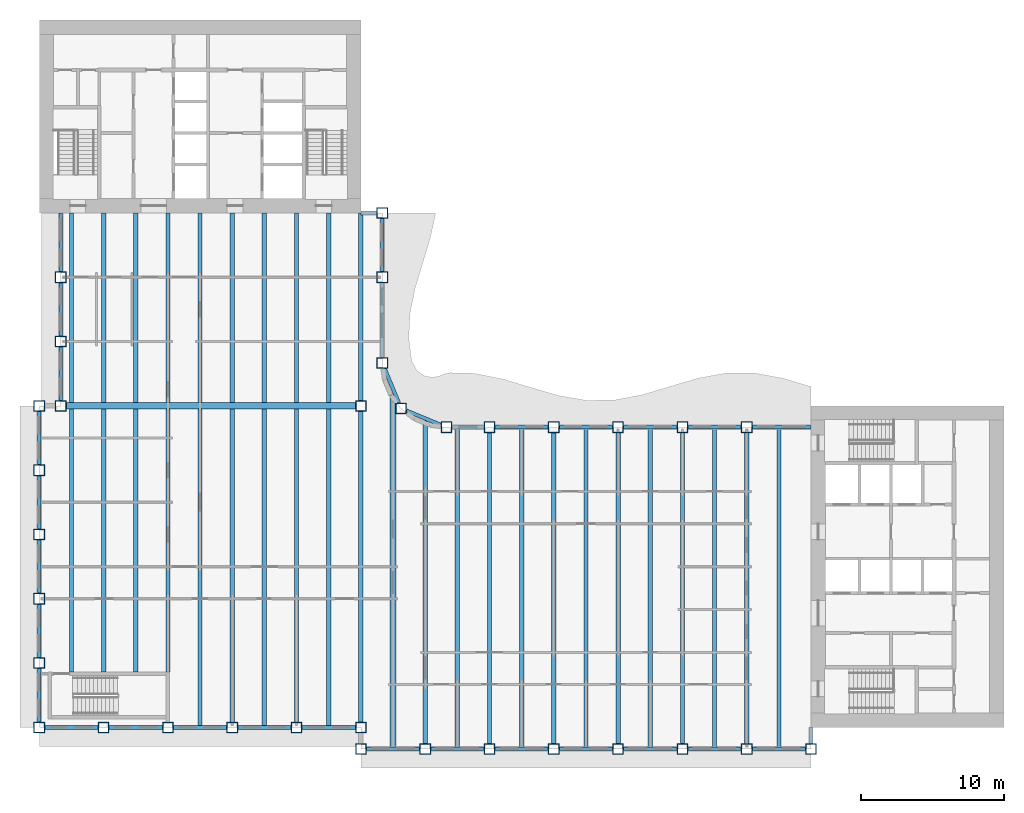
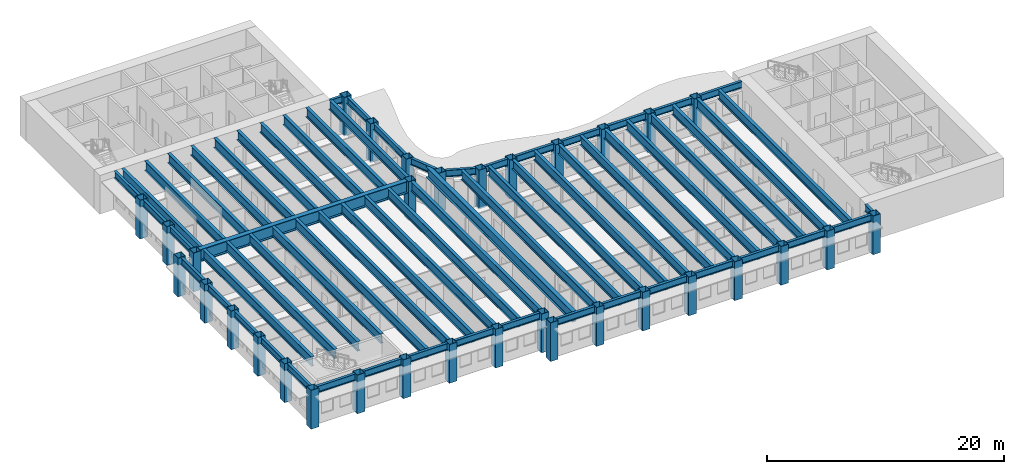
# One storey, part 1 of 17: 66 beams, 33 columns.
"""IFC4 building model written with IfcOpenShell, lengths in metres."""

from ifc_helpers import new_model, si_unit, direction, frame, origin, origin_2d, place, context, subcontext, project, spatial, hollow_rectangle, i_section, extrude, material, material_profile, profile_set, type_object, element, save


model = new_model("IFC4")

# Units and contexts
model_context = context("Model", 3, precision=1e-05, world=origin(), true_north=direction((0.0, 1.0)))
body_context = subcontext(model_context, "Body", "Model", "MODEL_VIEW")
ifc_project = project(units=[si_unit("LENGTHUNIT", "METRE"), si_unit("AREAUNIT", "SQUARE_METRE"), si_unit("VOLUMEUNIT", "CUBIC_METRE"), si_unit("PLANEANGLEUNIT", "RADIAN"), si_unit("MASSUNIT", "GRAM", prefix="KILO")], contexts=[model_context])

# Site, building, storey
site_placement = place(None, origin())
site = spatial("IfcSite", under=ifc_project, at=site_placement, CompositionType="ELEMENT")
building_placement = place(site_placement, origin())
building = spatial("IfcBuilding", under=site, at=building_placement, Name="Sennacour Bend Tower", CompositionType="ELEMENT")
storey_placement = place(building_placement, frame((0.0, 0.0, 199.0)))
storey = spatial("IfcBuildingStorey", under=building, at=storey_placement, Name="L45", CompositionType="ELEMENT", Elevation=199.0)

# Columns
ifc_material_1 = material(Name="Steel ASTM A572 Grade 50", Category="steel")
ifc_material_profile_1 = material_profile(ifc_material_1, hollow_rectangle(XDim=0.75, YDim=0.75, WallThickness=0.035888671875, at=origin_2d()), Name="Steel ASTM A572 Grade 50", Category="steel")
ifc_profile_set_1 = profile_set([ifc_material_profile_1], Name="Steel ASTM A572 Grade 50")
column_type = type_object("IfcColumnType", Name="Box column 750", PredefinedType="COLUMN", material=ifc_profile_set_1)
for number, where, z_axis, x_axis, name in (
    (1, (0.0, 0.0, -0.14990234375), (0.0, 0.0, 1.0), (1.0, 0.0, 0.0), "Perimeter column C4 L45-001"),
    (2, (0.0, 4.5, -0.14990234375), (0.0, 0.0, 1.0), (1.0, 0.0, 0.0), "Perimeter column C4 L45-002"),
    (3, (0.0, 9.0, -0.14990234375), (0.0, 0.0, 1.0), (1.0, 0.0, 0.0), "Perimeter column C4 L45-003"),
    (4, (0.0, 13.5, -0.14990234375), (0.0, 0.0, 1.0), (1.0, 0.0, 0.0), "Perimeter column C4 L45-004"),
    (5, (0.0, 18.0, -0.14990234375), (0.0, 0.0, 1.0), (1.0, 0.0, 0.0), "Perimeter column C4 L45-005"),
    (6, (0.0, 22.5, -0.14990234375), (0.0, 0.0, 1.0), (1.0, 0.0, 0.0), "Perimeter column C4 L45-006"),
    (7, (1.5, 22.5, -0.14990234375), (0.0, 0.0, 1.0), (1.0, 0.0, 0.0), "Perimeter column C4 L45-007"),
    (8, (1.5, 27.0, -0.14990234375), (0.0, 0.0, 1.0), (1.0, 0.0, 0.0), "Perimeter column C4 L45-008"),
    (9, (1.5, 31.5, -0.14990234375), (0.0, 0.0, 1.0), (1.0, 0.0, 0.0), "Perimeter column C4 L45-009"),
    (10, (4.5, 0.0, -0.14990234375), (0.0, 0.0, 1.0), (1.0, 0.0, 0.0), "Perimeter column C4 L45-010"),
    (11, (9.0, 0.0, -0.14990234375), (0.0, 0.0, 1.0), (1.0, 0.0, 0.0), "Perimeter column C4 L45-011"),
    (12, (13.5, 0.0, -0.14990234375), (0.0, 0.0, 1.0), (1.0, 0.0, 0.0), "Perimeter column C4 L45-012"),
    (13, (18.0, 0.0, -0.14990234375), (0.0, 0.0, 1.0), (1.0, 0.0, 0.0), "Perimeter column C4 L45-013"),
    (14, (22.5, -1.5, -0.14990234375), (0.0, 0.0, 1.0), (1.0, 0.0, 0.0), "Perimeter column C4 L45-014"),
    (15, (22.5, 0.0, -0.14990234375), (0.0, 0.0, 1.0), (1.0, 0.0, 0.0), "Perimeter column C4 L45-015"),
    (16, (22.5, 22.5, -0.14990234375), (0.0, 0.0, 1.0), (1.0, 0.0, 0.0), "Knuckle column C4 L45-016"),
    (17, (24.0, 25.5, -0.14990234375), (0.0, 0.0, 1.0), (1.0, 0.0, 0.0), "Perimeter column C4 L45-017"),
    (18, (24.0, 31.5, -0.14990234375), (0.0, 0.0, 1.0), (1.0, 0.0, 0.0), "Perimeter column C4 L45-018"),
    (19, (24.0, 36.0, -0.14990234375), (0.0, 0.0, 1.0), (1.0, 0.0, 0.0), "Perimeter column C4 L45-019"),
    (20, (25.318115234375, 22.318115234375, -0.14990234375), (0.0, 0.0, 1.0), (1.0, 0.0, 0.0), "Perimeter column C4 L45-020"),
    (21, (27.0, -1.5, -0.14990234375), (0.0, 0.0, 1.0), (1.0, 0.0, 0.0), "Perimeter column C4 L45-021"),
    (22, (28.5, 21.0, -0.14990234375), (0.0, 0.0, 1.0), (1.0, 0.0, 0.0), "Perimeter column C4 L45-022"),
    (23, (31.5, -1.5, -0.14990234375), (0.0, 0.0, 1.0), (1.0, 0.0, 0.0), "Perimeter column C4 L45-023"),
    (24, (31.5, 21.0, -0.14990234375), (0.0, 0.0, 1.0), (1.0, 0.0, 0.0), "Perimeter column C4 L45-024"),
    (25, (36.0, -1.5, -0.14990234375), (0.0, 0.0, 1.0), (1.0, 0.0, 0.0), "Perimeter column C4 L45-025"),
    (26, (36.0, 21.0, -0.14990234375), (0.0, 0.0, 1.0), (1.0, 0.0, 0.0), "Perimeter column C4 L45-026"),
    (27, (40.5, -1.5, -0.14990234375), (0.0, 0.0, 1.0), (1.0, 0.0, 0.0), "Perimeter column C4 L45-027"),
    (28, (40.5, 21.0, -0.14990234375), (0.0, 0.0, 1.0), (1.0, 0.0, 0.0), "Perimeter column C4 L45-028"),
    (29, (45.0, -1.5, -0.14990234375), (0.0, 0.0, 1.0), (1.0, 0.0, 0.0), "Perimeter column C4 L45-029"),
    (30, (45.0, 21.0, -0.14990234375), (0.0, 0.0, 1.0), (1.0, 0.0, 0.0), "Perimeter column C4 L45-030"),
    (31, (49.5, -1.5, -0.14990234375), (0.0, 0.0, 1.0), (1.0, 0.0, 0.0), "Perimeter column C4 L45-031"),
    (32, (49.5, 21.0, -0.14990234375), (0.0, 0.0, 1.0), (1.0, 0.0, 0.0), "Perimeter column C4 L45-032"),
    (33, (54.0, -1.5, -0.14990234375), (0.0, 0.0, 1.0), (1.0, 0.0, 0.0), "Perimeter column C4 L45-033"),
):
    element("IfcColumn", number, at=place(storey_placement, frame(where, z_axis=z_axis, x_axis=x_axis)), inside=storey, type_object=column_type, Name=name, PredefinedType="COLUMN", context=body_context, shape_type="SweptSolid", body=[
        extrude(hollow_rectangle(XDim=0.75, YDim=0.75, WallThickness=0.035888671875, at=origin_2d()), origin(), (0.0, 0.0, 1.0), 4.0),
    ])

# Beams
ifc_material_2 = material(Name="Steel ASTM A992 Grade 50", Category="steel")
ifc_material_profile_2 = material_profile(ifc_material_2, i_section(OverallWidth=0.300048828125, OverallDepth=0.97998046875, WebThickness=0.0166015625, FlangeThickness=0.026123046875, FilletRadius=0.02978515625, at=origin_2d()), Name="Steel ASTM A992 Grade 50", Category="steel")
ifc_profile_set_2 = profile_set([ifc_material_profile_2], Name="Steel ASTM A992 Grade 50")
beam_type_1 = type_object("IfcBeamType", Name="Floor beam W1000X249", PredefinedType="BEAM", material=ifc_profile_set_2)
beam_1_placement = place(storey_placement, frame((2.25, 3.875, 3.360107421875), z_axis=(0.0, 1.0, 0.0), x_axis=(-1.0, 0.0, 0.0)))
element("IfcBeam", 34, at=beam_1_placement, inside=storey, type_object=beam_type_1, Name="Floor beam FBM2 L46-001", PredefinedType="BEAM", context=body_context, shape_type="SweptSolid", body=[
    extrude(i_section(OverallWidth=0.300048828125, OverallDepth=0.97998046875, WebThickness=0.0166015625, FlangeThickness=0.026123046875, FilletRadius=0.02978515625, at=origin_2d()), origin(), (0.0, 0.0, 1.0), 18.39990234375),
])
beam_2_placement = place(storey_placement, frame((2.25, 22.72509765625, 3.360107421875), z_axis=(0.0, 1.0, 0.0), x_axis=(-1.0, 0.0, 0.0)))
element("IfcBeam", 35, at=beam_2_placement, inside=storey, type_object=beam_type_1, Name="Floor beam FBM2 L46-002", PredefinedType="BEAM", context=body_context, shape_type="SweptSolid", body=[
    extrude(i_section(OverallWidth=0.300048828125, OverallDepth=0.97998046875, WebThickness=0.0166015625, FlangeThickness=0.026123046875, FilletRadius=0.02978515625, at=origin_2d()), origin(), (0.0, 0.0, 1.0), 13.27490234375),
])
beam_3_placement = place(storey_placement, frame((4.5, 3.875, 3.360107421875), z_axis=(0.0, 1.0, 0.0), x_axis=(-1.0, 0.0, 0.0)))
element("IfcBeam", 36, at=beam_3_placement, inside=storey, type_object=beam_type_1, Name="Floor beam FBM2 L46-003", PredefinedType="BEAM", context=body_context, shape_type="SweptSolid", body=[
    extrude(i_section(OverallWidth=0.300048828125, OverallDepth=0.97998046875, WebThickness=0.0166015625, FlangeThickness=0.026123046875, FilletRadius=0.02978515625, at=origin_2d()), origin(), (0.0, 0.0, 1.0), 18.39990234375),
])
beam_4_placement = place(storey_placement, frame((4.5, 22.72509765625, 3.360107421875), z_axis=(0.0, 1.0, 0.0), x_axis=(-1.0, 0.0, 0.0)))
element("IfcBeam", 37, at=beam_4_placement, inside=storey, type_object=beam_type_1, Name="Floor beam FBM2 L46-004", PredefinedType="BEAM", context=body_context, shape_type="SweptSolid", body=[
    extrude(i_section(OverallWidth=0.300048828125, OverallDepth=0.97998046875, WebThickness=0.0166015625, FlangeThickness=0.026123046875, FilletRadius=0.02978515625, at=origin_2d()), origin(), (0.0, 0.0, 1.0), 13.27490234375),
])
beam_5_placement = place(storey_placement, frame((6.75, 3.875, 3.360107421875), z_axis=(0.0, 1.0, 0.0), x_axis=(-1.0, 0.0, 0.0)))
element("IfcBeam", 38, at=beam_5_placement, inside=storey, type_object=beam_type_1, Name="Floor beam FBM2 L46-005", PredefinedType="BEAM", context=body_context, shape_type="SweptSolid", body=[
    extrude(i_section(OverallWidth=0.300048828125, OverallDepth=0.97998046875, WebThickness=0.0166015625, FlangeThickness=0.026123046875, FilletRadius=0.02978515625, at=origin_2d()), origin(), (0.0, 0.0, 1.0), 18.39990234375),
])
beam_6_placement = place(storey_placement, frame((6.75, 22.72509765625, 3.360107421875), z_axis=(0.0, 1.0, 0.0), x_axis=(-1.0, 0.0, 0.0)))
element("IfcBeam", 39, at=beam_6_placement, inside=storey, type_object=beam_type_1, Name="Floor beam FBM2 L46-006", PredefinedType="BEAM", context=body_context, shape_type="SweptSolid", body=[
    extrude(i_section(OverallWidth=0.300048828125, OverallDepth=0.97998046875, WebThickness=0.0166015625, FlangeThickness=0.026123046875, FilletRadius=0.02978515625, at=origin_2d()), origin(), (0.0, 0.0, 1.0), 13.27490234375),
])
beam_7_placement = place(storey_placement, frame((9.0, 3.875, 3.360107421875), z_axis=(0.0, 1.0, 0.0), x_axis=(-1.0, 0.0, 0.0)))
element("IfcBeam", 40, at=beam_7_placement, inside=storey, type_object=beam_type_1, Name="Floor beam FBM2 L46-007", PredefinedType="BEAM", context=body_context, shape_type="SweptSolid", body=[
    extrude(i_section(OverallWidth=0.300048828125, OverallDepth=0.97998046875, WebThickness=0.0166015625, FlangeThickness=0.026123046875, FilletRadius=0.02978515625, at=origin_2d()), origin(), (0.0, 0.0, 1.0), 18.39990234375),
])
beam_8_placement = place(storey_placement, frame((9.0, 22.72509765625, 3.360107421875), z_axis=(0.0, 1.0, 0.0), x_axis=(-1.0, 0.0, 0.0)))
element("IfcBeam", 41, at=beam_8_placement, inside=storey, type_object=beam_type_1, Name="Floor beam FBM2 L46-008", PredefinedType="BEAM", context=body_context, shape_type="SweptSolid", body=[
    extrude(i_section(OverallWidth=0.300048828125, OverallDepth=0.97998046875, WebThickness=0.0166015625, FlangeThickness=0.026123046875, FilletRadius=0.02978515625, at=origin_2d()), origin(), (0.0, 0.0, 1.0), 13.27490234375),
])
beam_9_placement = place(storey_placement, frame((11.25, 0.12841796875, 3.360107421875), z_axis=(0.0, 1.0, 0.0), x_axis=(-1.0, 0.0, 0.0)))
element("IfcBeam", 42, at=beam_9_placement, inside=storey, type_object=beam_type_1, Name="Floor beam FBM2 L46-009", PredefinedType="BEAM", context=body_context, shape_type="SweptSolid", body=[
    extrude(i_section(OverallWidth=0.300048828125, OverallDepth=0.97998046875, WebThickness=0.0166015625, FlangeThickness=0.026123046875, FilletRadius=0.02978515625, at=origin_2d()), origin(), (0.0, 0.0, 1.0), 22.146484375),
])
beam_10_placement = place(storey_placement, frame((11.25, 22.72509765625, 3.360107421875), z_axis=(0.0, 1.0, 0.0), x_axis=(-1.0, 0.0, 0.0)))
element("IfcBeam", 43, at=beam_10_placement, inside=storey, type_object=beam_type_1, Name="Floor beam FBM2 L46-010", PredefinedType="BEAM", context=body_context, shape_type="SweptSolid", body=[
    extrude(i_section(OverallWidth=0.300048828125, OverallDepth=0.97998046875, WebThickness=0.0166015625, FlangeThickness=0.026123046875, FilletRadius=0.02978515625, at=origin_2d()), origin(), (0.0, 0.0, 1.0), 13.27490234375),
])
beam_11_placement = place(storey_placement, frame((13.5, 0.375, 3.360107421875), z_axis=(0.0, 1.0, 0.0), x_axis=(-1.0, 0.0, 0.0)))
element("IfcBeam", 44, at=beam_11_placement, inside=storey, type_object=beam_type_1, Name="Floor beam FBM2 L46-011", PredefinedType="BEAM", context=body_context, shape_type="SweptSolid", body=[
    extrude(i_section(OverallWidth=0.300048828125, OverallDepth=0.97998046875, WebThickness=0.0166015625, FlangeThickness=0.026123046875, FilletRadius=0.02978515625, at=origin_2d()), origin(), (0.0, 0.0, 1.0), 21.89990234375),
])
beam_12_placement = place(storey_placement, frame((13.5, 22.72509765625, 3.360107421875), z_axis=(0.0, 1.0, 0.0), x_axis=(-1.0, 0.0, 0.0)))
element("IfcBeam", 45, at=beam_12_placement, inside=storey, type_object=beam_type_1, Name="Floor beam FBM2 L46-012", PredefinedType="BEAM", context=body_context, shape_type="SweptSolid", body=[
    extrude(i_section(OverallWidth=0.300048828125, OverallDepth=0.97998046875, WebThickness=0.0166015625, FlangeThickness=0.026123046875, FilletRadius=0.02978515625, at=origin_2d()), origin(), (0.0, 0.0, 1.0), 13.27490234375),
])
beam_13_placement = place(storey_placement, frame((15.75, 0.12841796875, 3.360107421875), z_axis=(0.0, 1.0, 0.0), x_axis=(-1.0, 0.0, 0.0)))
element("IfcBeam", 46, at=beam_13_placement, inside=storey, type_object=beam_type_1, Name="Floor beam FBM2 L46-013", PredefinedType="BEAM", context=body_context, shape_type="SweptSolid", body=[
    extrude(i_section(OverallWidth=0.300048828125, OverallDepth=0.97998046875, WebThickness=0.0166015625, FlangeThickness=0.026123046875, FilletRadius=0.02978515625, at=origin_2d()), origin(), (0.0, 0.0, 1.0), 22.146484375),
])
beam_14_placement = place(storey_placement, frame((15.75, 22.72509765625, 3.360107421875), z_axis=(0.0, 1.0, 0.0), x_axis=(-1.0, 0.0, 0.0)))
element("IfcBeam", 47, at=beam_14_placement, inside=storey, type_object=beam_type_1, Name="Floor beam FBM2 L46-014", PredefinedType="BEAM", context=body_context, shape_type="SweptSolid", body=[
    extrude(i_section(OverallWidth=0.300048828125, OverallDepth=0.97998046875, WebThickness=0.0166015625, FlangeThickness=0.026123046875, FilletRadius=0.02978515625, at=origin_2d()), origin(), (0.0, 0.0, 1.0), 13.27490234375),
])
beam_15_placement = place(storey_placement, frame((18.0, 0.375, 3.360107421875), z_axis=(0.0, 1.0, 0.0), x_axis=(-1.0, 0.0, 0.0)))
element("IfcBeam", 48, at=beam_15_placement, inside=storey, type_object=beam_type_1, Name="Floor beam FBM2 L46-015", PredefinedType="BEAM", context=body_context, shape_type="SweptSolid", body=[
    extrude(i_section(OverallWidth=0.300048828125, OverallDepth=0.97998046875, WebThickness=0.0166015625, FlangeThickness=0.026123046875, FilletRadius=0.02978515625, at=origin_2d()), origin(), (0.0, 0.0, 1.0), 21.89990234375),
])
beam_16_placement = place(storey_placement, frame((18.0, 22.72509765625, 3.360107421875), z_axis=(0.0, 1.0, 0.0), x_axis=(-1.0, 0.0, 0.0)))
element("IfcBeam", 49, at=beam_16_placement, inside=storey, type_object=beam_type_1, Name="Floor beam FBM2 L46-016", PredefinedType="BEAM", context=body_context, shape_type="SweptSolid", body=[
    extrude(i_section(OverallWidth=0.300048828125, OverallDepth=0.97998046875, WebThickness=0.0166015625, FlangeThickness=0.026123046875, FilletRadius=0.02978515625, at=origin_2d()), origin(), (0.0, 0.0, 1.0), 13.27490234375),
])
beam_17_placement = place(storey_placement, frame((20.25, 0.12841796875, 3.360107421875), z_axis=(0.0, 1.0, 0.0), x_axis=(-1.0, 0.0, 0.0)))
element("IfcBeam", 50, at=beam_17_placement, inside=storey, type_object=beam_type_1, Name="Floor beam FBM2 L46-017", PredefinedType="BEAM", context=body_context, shape_type="SweptSolid", body=[
    extrude(i_section(OverallWidth=0.300048828125, OverallDepth=0.97998046875, WebThickness=0.0166015625, FlangeThickness=0.026123046875, FilletRadius=0.02978515625, at=origin_2d()), origin(), (0.0, 0.0, 1.0), 22.146484375),
])
beam_18_placement = place(storey_placement, frame((20.25, 22.72509765625, 3.360107421875), z_axis=(0.0, 1.0, 0.0), x_axis=(-1.0, 0.0, 0.0)))
element("IfcBeam", 51, at=beam_18_placement, inside=storey, type_object=beam_type_1, Name="Floor beam FBM2 L46-018", PredefinedType="BEAM", context=body_context, shape_type="SweptSolid", body=[
    extrude(i_section(OverallWidth=0.300048828125, OverallDepth=0.97998046875, WebThickness=0.0166015625, FlangeThickness=0.026123046875, FilletRadius=0.02978515625, at=origin_2d()), origin(), (0.0, 0.0, 1.0), 13.27490234375),
])
beam_19_placement = place(storey_placement, frame((22.5, 0.375, 3.360107421875), z_axis=(0.0, 1.0, 0.0), x_axis=(-1.0, 0.0, 0.0)))
element("IfcBeam", 52, at=beam_19_placement, inside=storey, type_object=beam_type_1, Name="Floor beam FBM2 L46-019", PredefinedType="BEAM", context=body_context, shape_type="SweptSolid", body=[
    extrude(i_section(OverallWidth=0.300048828125, OverallDepth=0.97998046875, WebThickness=0.0166015625, FlangeThickness=0.026123046875, FilletRadius=0.02978515625, at=origin_2d()), origin(), (0.0, 0.0, 1.0), 21.75),
])
beam_20_placement = place(storey_placement, frame((22.5, 22.875, 3.360107421875), z_axis=(0.0, 1.0, 0.0), x_axis=(-1.0, 0.0, 0.0)))
element("IfcBeam", 53, at=beam_20_placement, inside=storey, type_object=beam_type_1, Name="Floor beam FBM2 L46-020", PredefinedType="BEAM", context=body_context, shape_type="SweptSolid", body=[
    extrude(i_section(OverallWidth=0.300048828125, OverallDepth=0.97998046875, WebThickness=0.0166015625, FlangeThickness=0.026123046875, FilletRadius=0.02978515625, at=origin_2d()), origin(), (0.0, 0.0, 1.0), 13.125),
])
beam_21_placement = place(storey_placement, frame((27.0, -1.125, 3.360107421875), z_axis=(0.0, 1.0, 0.0), x_axis=(-1.0, 0.0, 0.0)))
element("IfcBeam", 54, at=beam_21_placement, inside=storey, type_object=beam_type_1, Name="Floor beam FBM2 L46-022", PredefinedType="BEAM", context=body_context, shape_type="SweptSolid", body=[
    extrude(i_section(OverallWidth=0.300048828125, OverallDepth=0.97998046875, WebThickness=0.0166015625, FlangeThickness=0.026123046875, FilletRadius=0.02978515625, at=origin_2d()), origin(), (0.0, 0.0, 1.0), 22.607177734375),
])
beam_22_placement = place(storey_placement, frame((29.25, -1.37158203125, 3.360107421875), z_axis=(0.0, 1.0, 0.0), x_axis=(-1.0, 0.0, 0.0)))
element("IfcBeam", 55, at=beam_22_placement, inside=storey, type_object=beam_type_1, Name="Floor beam FBM2 L46-023", PredefinedType="BEAM", context=body_context, shape_type="SweptSolid", body=[
    extrude(i_section(OverallWidth=0.300048828125, OverallDepth=0.97998046875, WebThickness=0.0166015625, FlangeThickness=0.026123046875, FilletRadius=0.02978515625, at=origin_2d()), origin(), (0.0, 0.0, 1.0), 22.2431640625),
])
beam_23_placement = place(storey_placement, frame((31.5, -1.125, 3.360107421875), z_axis=(0.0, 1.0, 0.0), x_axis=(-1.0, 0.0, 0.0)))
element("IfcBeam", 56, at=beam_23_placement, inside=storey, type_object=beam_type_1, Name="Floor beam FBM2 L46-024", PredefinedType="BEAM", context=body_context, shape_type="SweptSolid", body=[
    extrude(i_section(OverallWidth=0.300048828125, OverallDepth=0.97998046875, WebThickness=0.0166015625, FlangeThickness=0.026123046875, FilletRadius=0.02978515625, at=origin_2d()), origin(), (0.0, 0.0, 1.0), 21.75),
])
beam_24_placement = place(storey_placement, frame((33.75, -1.37158203125, 3.360107421875), z_axis=(0.0, 1.0, 0.0), x_axis=(-1.0, 0.0, 0.0)))
element("IfcBeam", 57, at=beam_24_placement, inside=storey, type_object=beam_type_1, Name="Floor beam FBM2 L46-025", PredefinedType="BEAM", context=body_context, shape_type="SweptSolid", body=[
    extrude(i_section(OverallWidth=0.300048828125, OverallDepth=0.97998046875, WebThickness=0.0166015625, FlangeThickness=0.026123046875, FilletRadius=0.02978515625, at=origin_2d()), origin(), (0.0, 0.0, 1.0), 22.2431640625),
])
beam_25_placement = place(storey_placement, frame((36.0, -1.125, 3.360107421875), z_axis=(0.0, 1.0, 0.0), x_axis=(-1.0, 0.0, 0.0)))
element("IfcBeam", 58, at=beam_25_placement, inside=storey, type_object=beam_type_1, Name="Floor beam FBM2 L46-026", PredefinedType="BEAM", context=body_context, shape_type="SweptSolid", body=[
    extrude(i_section(OverallWidth=0.300048828125, OverallDepth=0.97998046875, WebThickness=0.0166015625, FlangeThickness=0.026123046875, FilletRadius=0.02978515625, at=origin_2d()), origin(), (0.0, 0.0, 1.0), 21.75),
])
beam_26_placement = place(storey_placement, frame((38.25, -1.37158203125, 3.360107421875), z_axis=(0.0, 1.0, 0.0), x_axis=(-1.0, 0.0, 0.0)))
element("IfcBeam", 59, at=beam_26_placement, inside=storey, type_object=beam_type_1, Name="Floor beam FBM2 L46-027", PredefinedType="BEAM", context=body_context, shape_type="SweptSolid", body=[
    extrude(i_section(OverallWidth=0.300048828125, OverallDepth=0.97998046875, WebThickness=0.0166015625, FlangeThickness=0.026123046875, FilletRadius=0.02978515625, at=origin_2d()), origin(), (0.0, 0.0, 1.0), 22.2431640625),
])
beam_27_placement = place(storey_placement, frame((40.5, -1.125, 3.360107421875), z_axis=(0.0, 1.0, 0.0), x_axis=(-1.0, 0.0, 0.0)))
element("IfcBeam", 60, at=beam_27_placement, inside=storey, type_object=beam_type_1, Name="Floor beam FBM2 L46-028", PredefinedType="BEAM", context=body_context, shape_type="SweptSolid", body=[
    extrude(i_section(OverallWidth=0.300048828125, OverallDepth=0.97998046875, WebThickness=0.0166015625, FlangeThickness=0.026123046875, FilletRadius=0.02978515625, at=origin_2d()), origin(), (0.0, 0.0, 1.0), 21.75),
])
beam_28_placement = place(storey_placement, frame((42.75, -1.37158203125, 3.360107421875), z_axis=(0.0, 1.0, 0.0), x_axis=(-1.0, 0.0, 0.0)))
element("IfcBeam", 61, at=beam_28_placement, inside=storey, type_object=beam_type_1, Name="Floor beam FBM2 L46-029", PredefinedType="BEAM", context=body_context, shape_type="SweptSolid", body=[
    extrude(i_section(OverallWidth=0.300048828125, OverallDepth=0.97998046875, WebThickness=0.0166015625, FlangeThickness=0.026123046875, FilletRadius=0.02978515625, at=origin_2d()), origin(), (0.0, 0.0, 1.0), 22.2431640625),
])
beam_29_placement = place(storey_placement, frame((45.0, -1.125, 3.360107421875), z_axis=(0.0, 1.0, 0.0), x_axis=(-1.0, 0.0, 0.0)))
element("IfcBeam", 62, at=beam_29_placement, inside=storey, type_object=beam_type_1, Name="Floor beam FBM2 L46-030", PredefinedType="BEAM", context=body_context, shape_type="SweptSolid", body=[
    extrude(i_section(OverallWidth=0.300048828125, OverallDepth=0.97998046875, WebThickness=0.0166015625, FlangeThickness=0.026123046875, FilletRadius=0.02978515625, at=origin_2d()), origin(), (0.0, 0.0, 1.0), 21.75),
])
beam_30_placement = place(storey_placement, frame((47.25, -1.37158203125, 3.360107421875), z_axis=(0.0, 1.0, 0.0), x_axis=(-1.0, 0.0, 0.0)))
element("IfcBeam", 63, at=beam_30_placement, inside=storey, type_object=beam_type_1, Name="Floor beam FBM2 L46-031", PredefinedType="BEAM", context=body_context, shape_type="SweptSolid", body=[
    extrude(i_section(OverallWidth=0.300048828125, OverallDepth=0.97998046875, WebThickness=0.0166015625, FlangeThickness=0.026123046875, FilletRadius=0.02978515625, at=origin_2d()), origin(), (0.0, 0.0, 1.0), 22.2431640625),
])
beam_31_placement = place(storey_placement, frame((49.5, -1.125, 3.360107421875), z_axis=(0.0, 1.0, 0.0), x_axis=(-1.0, 0.0, 0.0)))
element("IfcBeam", 64, at=beam_31_placement, inside=storey, type_object=beam_type_1, Name="Floor beam FBM2 L46-032", PredefinedType="BEAM", context=body_context, shape_type="SweptSolid", body=[
    extrude(i_section(OverallWidth=0.300048828125, OverallDepth=0.97998046875, WebThickness=0.0166015625, FlangeThickness=0.026123046875, FilletRadius=0.02978515625, at=origin_2d()), origin(), (0.0, 0.0, 1.0), 21.75),
])
beam_32_placement = place(storey_placement, frame((51.75, -1.37158203125, 3.360107421875), z_axis=(0.0, 1.0, 0.0), x_axis=(-1.0, 0.0, 0.0)))
element("IfcBeam", 65, at=beam_32_placement, inside=storey, type_object=beam_type_1, Name="Floor beam FBM2 L46-033", PredefinedType="BEAM", context=body_context, shape_type="SweptSolid", body=[
    extrude(i_section(OverallWidth=0.300048828125, OverallDepth=0.97998046875, WebThickness=0.0166015625, FlangeThickness=0.026123046875, FilletRadius=0.02978515625, at=origin_2d()), origin(), (0.0, 0.0, 1.0), 22.2431640625),
])
ifc_material_profile_3 = material_profile(ifc_material_1, i_section(OverallWidth=0.449951171875, OverallDepth=1.25, WebThickness=0.028076171875, FlangeThickness=0.050048828125, at=origin_2d()), Name="Steel ASTM A572 Grade 50", Category="steel")
ifc_profile_set_3 = profile_set([ifc_material_profile_3], Name="Steel ASTM A572 Grade 50")
beam_type_2 = type_object("IfcBeamType", Name="Knuckle girder 1250", PredefinedType="USERDEFINED", material=ifc_profile_set_3)
beam_33_placement = place(storey_placement, frame((1.875, 22.5, 3.22509765625), z_axis=(1.0, 0.0, 0.0), x_axis=(0.0, 1.0, 0.0)))
element("IfcBeam", 66, at=beam_33_placement, inside=storey, type_object=beam_type_2, Name="Knuckle girder GK L46-001", ObjectType="KNUCKLE GIRDER", PredefinedType="USERDEFINED", context=body_context, shape_type="SweptSolid", body=[
    extrude(i_section(OverallWidth=0.449951171875, OverallDepth=1.25, WebThickness=0.028076171875, FlangeThickness=0.050048828125, at=origin_2d()), origin(), (0.0, 0.0, 1.0), 20.25),
])
ifc_material_profile_4 = material_profile(ifc_material_2, i_section(OverallWidth=0.40087890625, OverallDepth=1.090087890625, WebThickness=0.01806640625, FlangeThickness=0.031005859375, FilletRadius=0.02001953125, at=origin_2d()), Name="Steel ASTM A992 Grade 50", Category="steel")
ifc_profile_set_4 = profile_set([ifc_material_profile_4], Name="Steel ASTM A992 Grade 50")
beam_type_3 = type_object("IfcBeamType", Name="Notch floor beam W1100X343", PredefinedType="BEAM", material=ifc_profile_set_4)
beam_34_placement = place(storey_placement, frame((24.75, -1.37158203125, 3.304931640625), z_axis=(0.0, 1.0, 0.0), x_axis=(-1.0, 0.0, 0.0)))
element("IfcBeam", 67, at=beam_34_placement, inside=storey, type_object=beam_type_3, Name="Floor beam FBM4 L46-021", PredefinedType="BEAM", context=body_context, shape_type="SweptSolid", body=[
    extrude(i_section(OverallWidth=0.40087890625, OverallDepth=1.090087890625, WebThickness=0.01806640625, FlangeThickness=0.031005859375, FilletRadius=0.02001953125, at=origin_2d()), origin(), (0.0, 0.0, 1.0), 24.72509765625),
])
ifc_material_profile_5 = material_profile(ifc_material_2, i_section(OverallWidth=0.257080078125, OverallDepth=0.693115234375, WebThickness=0.014404296875, FlangeThickness=0.023681640625, FilletRadius=0.015380859375, at=origin_2d()), Name="Steel ASTM A992 Grade 50", Category="steel")
ifc_profile_set_5 = profile_set([ifc_material_profile_5], Name="Steel ASTM A992 Grade 50")
beam_type_4 = type_object("IfcBeamType", Name="Spandrel beam W690X170", PredefinedType="SPANDREL", material=ifc_profile_set_5)
for number, where, z_axis, x_axis, name in (
    (68, (22.125, 0.0, 3.50341796875), (-1.0, 0.0, 0.0), (0.0, -1.0, 0.0), "Spandrel beam SP5 L46-001"),
    (69, (17.625, 0.0, 3.50341796875), (-1.0, 0.0, 0.0), (0.0, -1.0, 0.0), "Spandrel beam SP5 L46-002"),
    (70, (13.125, 0.0, 3.50341796875), (-1.0, 0.0, 0.0), (0.0, -1.0, 0.0), "Spandrel beam SP5 L46-003"),
    (71, (8.625, 0.0, 3.50341796875), (-1.0, 0.0, 0.0), (0.0, -1.0, 0.0), "Spandrel beam SP5 L46-004"),
    (72, (4.125, 0.0, 3.50341796875), (-1.0, 0.0, 0.0), (0.0, -1.0, 0.0), "Spandrel beam SP5 L46-005"),
    (73, (0.0, 0.375, 3.50341796875), (0.0, 1.0, 0.0), (-1.0, 0.0, 0.0), "Spandrel beam SP5 L46-006"),
    (74, (0.0, 4.875, 3.50341796875), (0.0, 1.0, 0.0), (-1.0, 0.0, 0.0), "Spandrel beam SP5 L46-007"),
    (75, (0.0, 9.375, 3.50341796875), (0.0, 1.0, 0.0), (-1.0, 0.0, 0.0), "Spandrel beam SP5 L46-008"),
    (76, (0.0, 13.875, 3.50341796875), (0.0, 1.0, 0.0), (-1.0, 0.0, 0.0), "Spandrel beam SP5 L46-009"),
    (77, (0.0, 18.375, 3.50341796875), (0.0, 1.0, 0.0), (-1.0, 0.0, 0.0), "Spandrel beam SP5 L46-010"),
    (78, (1.5, 22.875, 3.50341796875), (0.0, 1.0, 0.0), (-1.0, 0.0, 0.0), "Spandrel beam SP5 L46-011"),
    (79, (1.5, 27.375, 3.50341796875), (0.0, 1.0, 0.0), (-1.0, 0.0, 0.0), "Spandrel beam SP5 L46-012"),
):
    element("IfcBeam", number, at=place(storey_placement, frame(where, z_axis=z_axis, x_axis=x_axis)), inside=storey, type_object=beam_type_4, Name=name, PredefinedType="SPANDREL", context=body_context, shape_type="SweptSolid", body=[
        extrude(i_section(OverallWidth=0.257080078125, OverallDepth=0.693115234375, WebThickness=0.014404296875, FlangeThickness=0.023681640625, FilletRadius=0.015380859375, at=origin_2d()), origin(), (0.0, 0.0, 1.0), 3.75),
    ])
beam_35_placement = place(storey_placement, frame((1.5, 31.875, 3.50341796875), z_axis=(0.0, 1.0, 0.0), x_axis=(-1.0, 0.0, 0.0)))
element("IfcBeam", 80, at=beam_35_placement, inside=storey, type_object=beam_type_4, Name="Spandrel beam SP5 L46-013", PredefinedType="SPANDREL", context=body_context, shape_type="SweptSolid", body=[
    extrude(i_section(OverallWidth=0.257080078125, OverallDepth=0.693115234375, WebThickness=0.014404296875, FlangeThickness=0.023681640625, FilletRadius=0.015380859375, at=origin_2d()), origin(), (0.0, 0.0, 1.0), 4.125),
])
beam_36_placement = place(storey_placement, frame((22.5, 36.0, 3.50341796875), z_axis=(1.0, 0.0, 0.0), x_axis=(0.0, 1.0, 0.0)))
element("IfcBeam", 81, at=beam_36_placement, inside=storey, type_object=beam_type_4, Name="Spandrel beam SP5 L46-014", PredefinedType="SPANDREL", context=body_context, shape_type="SweptSolid", body=[
    extrude(i_section(OverallWidth=0.257080078125, OverallDepth=0.693115234375, WebThickness=0.014404296875, FlangeThickness=0.023681640625, FilletRadius=0.015380859375, at=origin_2d()), origin(), (0.0, 0.0, 1.0), 1.125),
])
beam_37_placement = place(storey_placement, frame((24.0, 35.625, 3.50341796875), z_axis=(0.0, -1.0, 0.0), x_axis=(1.0, 0.0, 0.0)))
element("IfcBeam", 82, at=beam_37_placement, inside=storey, type_object=beam_type_4, Name="Spandrel beam SP5 L46-015", PredefinedType="SPANDREL", context=body_context, shape_type="SweptSolid", body=[
    extrude(i_section(OverallWidth=0.257080078125, OverallDepth=0.693115234375, WebThickness=0.014404296875, FlangeThickness=0.023681640625, FilletRadius=0.015380859375, at=origin_2d()), origin(), (0.0, 0.0, 1.0), 3.75),
])
beam_38_placement = place(storey_placement, frame((24.0, 31.125, 3.50341796875), z_axis=(0.0, -1.0, 0.0), x_axis=(1.0, 0.0, 0.0)))
element("IfcBeam", 83, at=beam_38_placement, inside=storey, type_object=beam_type_4, Name="Spandrel beam SP5 L46-016", PredefinedType="SPANDREL", context=body_context, shape_type="SweptSolid", body=[
    extrude(i_section(OverallWidth=0.257080078125, OverallDepth=0.693115234375, WebThickness=0.014404296875, FlangeThickness=0.023681640625, FilletRadius=0.015380859375, at=origin_2d()), origin(), (0.0, 0.0, 1.0), 5.25),
])
for number, where, z_axis, x_axis, name in (
    (84, (24.1552734375, 25.125, 3.50341796875), (0.382684913195, -0.92387891913, 0.0), (0.92387891913, 0.382684913195, 0.0), "Spandrel beam SP5 L46-017"),
    (85, (25.693115234375, 22.16259765625, 3.50341796875), (0.92387891913, -0.382684913195, 0.0), (0.382684913195, 0.92387891913, 0.0), "Spandrel beam SP5 L46-018"),
):
    element("IfcBeam", number, at=place(storey_placement, frame(where, z_axis=z_axis, x_axis=x_axis)), inside=storey, type_object=beam_type_4, Name=name, PredefinedType="SPANDREL", context=body_context, shape_type="SweptSolid", body=[
        extrude(i_section(OverallWidth=0.257080078125, OverallDepth=0.693115234375, WebThickness=0.014404296875, FlangeThickness=0.023681640625, FilletRadius=0.015380859375, at=origin_2d()), origin(), (0.0, 0.0, 1.0), 2.63232421875),
    ])
beam_39_placement = place(storey_placement, frame((28.875, 21.0, 3.50341796875), z_axis=(1.0, 0.0, 0.0), x_axis=(0.0, 1.0, 0.0)))
element("IfcBeam", 86, at=beam_39_placement, inside=storey, type_object=beam_type_4, Name="Spandrel beam SP5 L46-019", PredefinedType="SPANDREL", context=body_context, shape_type="SweptSolid", body=[
    extrude(i_section(OverallWidth=0.257080078125, OverallDepth=0.693115234375, WebThickness=0.014404296875, FlangeThickness=0.023681640625, FilletRadius=0.015380859375, at=origin_2d()), origin(), (0.0, 0.0, 1.0), 2.25),
])
for number, where, z_axis, x_axis, name in (
    (87, (31.875, 21.0, 3.50341796875), (1.0, 0.0, 0.0), (0.0, 1.0, 0.0), "Spandrel beam SP5 L46-020"),
    (88, (36.375, 21.0, 3.50341796875), (1.0, 0.0, 0.0), (0.0, 1.0, 0.0), "Spandrel beam SP5 L46-021"),
    (89, (40.875, 21.0, 3.50341796875), (1.0, 0.0, 0.0), (0.0, 1.0, 0.0), "Spandrel beam SP5 L46-022"),
    (90, (45.375, 21.0, 3.50341796875), (1.0, 0.0, 0.0), (0.0, 1.0, 0.0), "Spandrel beam SP5 L46-023"),
):
    element("IfcBeam", number, at=place(storey_placement, frame(where, z_axis=z_axis, x_axis=x_axis)), inside=storey, type_object=beam_type_4, Name=name, PredefinedType="SPANDREL", context=body_context, shape_type="SweptSolid", body=[
        extrude(i_section(OverallWidth=0.257080078125, OverallDepth=0.693115234375, WebThickness=0.014404296875, FlangeThickness=0.023681640625, FilletRadius=0.015380859375, at=origin_2d()), origin(), (0.0, 0.0, 1.0), 3.75),
    ])
beam_40_placement = place(storey_placement, frame((49.875, 21.0, 3.50341796875), z_axis=(1.0, 0.0, 0.0), x_axis=(0.0, 1.0, 0.0)))
element("IfcBeam", 91, at=beam_40_placement, inside=storey, type_object=beam_type_4, Name="Spandrel beam SP5 L46-024", PredefinedType="SPANDREL", context=body_context, shape_type="SweptSolid", body=[
    extrude(i_section(OverallWidth=0.257080078125, OverallDepth=0.693115234375, WebThickness=0.014404296875, FlangeThickness=0.023681640625, FilletRadius=0.015380859375, at=origin_2d()), origin(), (0.0, 0.0, 1.0), 4.125),
])
beam_41_placement = place(storey_placement, frame((54.0, 0.0, 3.50341796875), z_axis=(0.0, -1.0, 0.0), x_axis=(1.0, 0.0, 0.0)))
element("IfcBeam", 92, at=beam_41_placement, inside=storey, type_object=beam_type_4, Name="Spandrel beam SP5 L46-025", PredefinedType="SPANDREL", context=body_context, shape_type="SweptSolid", body=[
    extrude(i_section(OverallWidth=0.257080078125, OverallDepth=0.693115234375, WebThickness=0.014404296875, FlangeThickness=0.023681640625, FilletRadius=0.015380859375, at=origin_2d()), origin(), (0.0, 0.0, 1.0), 1.125),
])
for number, where, z_axis, x_axis, name in (
    (93, (53.625, -1.5, 3.50341796875), (-1.0, 0.0, 0.0), (0.0, -1.0, 0.0), "Spandrel beam SP5 L46-026"),
    (94, (49.125, -1.5, 3.50341796875), (-1.0, 0.0, 0.0), (0.0, -1.0, 0.0), "Spandrel beam SP5 L46-027"),
    (95, (44.625, -1.5, 3.50341796875), (-1.0, 0.0, 0.0), (0.0, -1.0, 0.0), "Spandrel beam SP5 L46-028"),
    (96, (40.125, -1.5, 3.50341796875), (-1.0, 0.0, 0.0), (0.0, -1.0, 0.0), "Spandrel beam SP5 L46-029"),
    (97, (35.625, -1.5, 3.50341796875), (-1.0, 0.0, 0.0), (0.0, -1.0, 0.0), "Spandrel beam SP5 L46-030"),
    (98, (31.125, -1.5, 3.50341796875), (-1.0, 0.0, 0.0), (0.0, -1.0, 0.0), "Spandrel beam SP5 L46-031"),
    (99, (26.625, -1.5, 3.50341796875), (-1.0, 0.0, 0.0), (0.0, -1.0, 0.0), "Spandrel beam SP5 L46-032"),
):
    element("IfcBeam", number, at=place(storey_placement, frame(where, z_axis=z_axis, x_axis=x_axis)), inside=storey, type_object=beam_type_4, Name=name, PredefinedType="SPANDREL", context=body_context, shape_type="SweptSolid", body=[
        extrude(i_section(OverallWidth=0.257080078125, OverallDepth=0.693115234375, WebThickness=0.014404296875, FlangeThickness=0.023681640625, FilletRadius=0.015380859375, at=origin_2d()), origin(), (0.0, 0.0, 1.0), 3.75),
    ])

save(model, "model.ifc")
